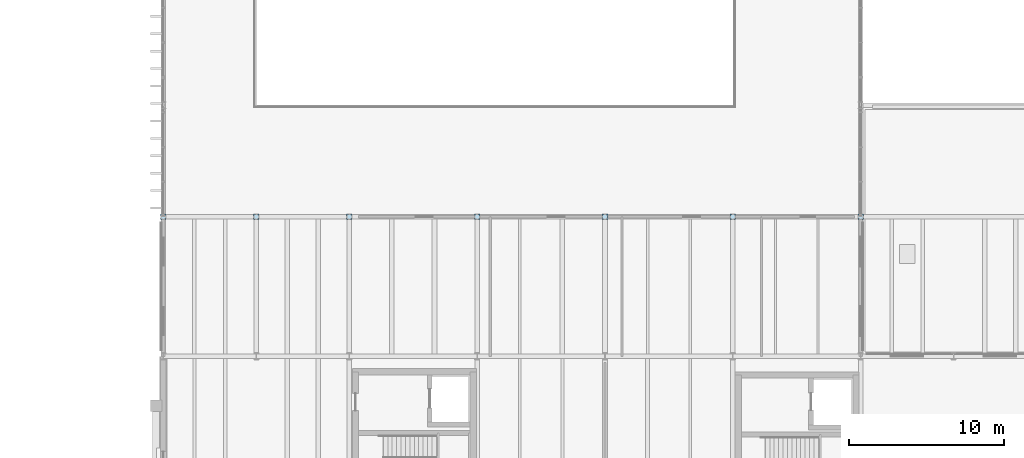
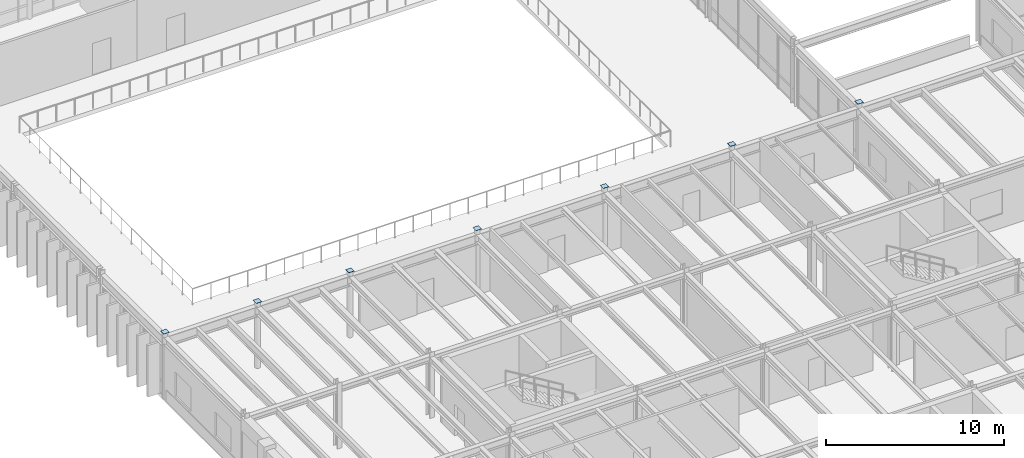
# One storey, part 39 of 64: 7 plates.
"""IFC4 building model written with IfcOpenShell, lengths in metres."""

from ifc_helpers import new_model, si_unit, direction, frame, origin, origin_2d, place, context, subcontext, project, spatial, rectangle, extrude, material, layer, layer_set, type_object, element, save


model = new_model("IFC4")

# Units and contexts
model_context = context("Model", 3, precision=1e-05, world=origin(), true_north=direction((0.0, 1.0)))
body_context = subcontext(model_context, "Body", "Model", "MODEL_VIEW")
ifc_project = project(units=[si_unit("LENGTHUNIT", "METRE"), si_unit("AREAUNIT", "SQUARE_METRE"), si_unit("VOLUMEUNIT", "CUBIC_METRE"), si_unit("PLANEANGLEUNIT", "RADIAN"), si_unit("MASSUNIT", "GRAM", prefix="KILO")], contexts=[model_context])

# Site, building, storey
site_placement = place(None, origin())
site = spatial("IfcSite", under=ifc_project, at=site_placement, CompositionType="ELEMENT")
building_placement = place(site_placement, origin())
building = spatial("IfcBuilding", under=site, at=building_placement, Name="Montealbar Specialist Clinic", CompositionType="ELEMENT")
storey_placement = place(building_placement, frame((0.0, 0.0, 5.10009765625)))
storey = spatial("IfcBuildingStorey", under=building, at=storey_placement, Name="L01", CompositionType="ELEMENT", Elevation=5.10009765625)

# Plates
ifc_material = material(Name="Steel S355", Category="steel")
ifc_layer_1 = layer(ifc_material, 0.02001953125, Name="Steel S355", Category="steel")
ifc_layer_set_1 = layer_set([ifc_layer_1], Name="Steel S355")
plate_type_1 = type_object("IfcPlateType", Name="PL-CAP-20", PredefinedType="SHEET", material=ifc_layer_set_1)
for number, where, z_axis, x_axis, name in (
    (1, (60.0, 45.0, 4.495849609375), (0.0, 0.0, 1.0), (1.0, 0.0, 0.0), "Column 8/F Top End-Cap Plate"),
    (2, (66.0, 45.0, 4.495849609375), (0.0, 0.0, 1.0), (1.0, 0.0, 0.0), "Column 9/F Top End-Cap Plate"),
    (3, (74.25, 45.0, 4.495849609375), (0.0, 0.0, 1.0), (1.0, 0.0, 0.0), "Column 10/F Top End-Cap Plate"),
    (4, (82.5, 45.0, 4.495849609375), (0.0, 0.0, 1.0), (1.0, 0.0, 0.0), "Column 11/F Top End-Cap Plate"),
    (5, (90.75, 45.0, 4.495849609375), (0.0, 0.0, 1.0), (1.0, 0.0, 0.0), "Column 12/F Top End-Cap Plate"),
):
    element("IfcPlate", number, at=place(storey_placement, frame(where, z_axis=z_axis, x_axis=x_axis)), inside=storey, type_object=plate_type_1, Name=name, PredefinedType="SHEET", context=body_context, shape_type="SweptSolid", body=[
        extrude(rectangle(XDim=0.360107421875, YDim=0.360107421875, at=origin_2d()), origin(), (0.0, 0.0, 1.0), 0.02001953125),
    ])
ifc_layer_2 = layer(ifc_material, 0.02001953125, Name="Steel S355", Category="steel")
ifc_layer_set_2 = layer_set([ifc_layer_2], Name="Steel S355")
plate_type_2 = type_object("IfcPlateType", Name="PL-CAP-20-EXT", PredefinedType="SHEET", material=ifc_layer_set_2)
for number, where, z_axis, x_axis, name in (
    (6, (54.0, 45.0, 4.495849609375), (0.0, 0.0, 1.0), (1.0, 0.0, 0.0), "Column 7/F Top End-Cap Plate"),
    (7, (99.0, 45.0, 4.495849609375), (0.0, 0.0, 1.0), (1.0, 0.0, 0.0), "Column 13/F Top End-Cap Plate"),
):
    element("IfcPlate", number, at=place(storey_placement, frame(where, z_axis=z_axis, x_axis=x_axis)), inside=storey, type_object=plate_type_2, Name=name, PredefinedType="SHEET", context=body_context, shape_type="SweptSolid", body=[
        extrude(rectangle(XDim=0.360107421875, YDim=0.360107421875, at=origin_2d()), origin(), (0.0, 0.0, 1.0), 0.02001953125),
    ])

save(model, "model.ifc")
